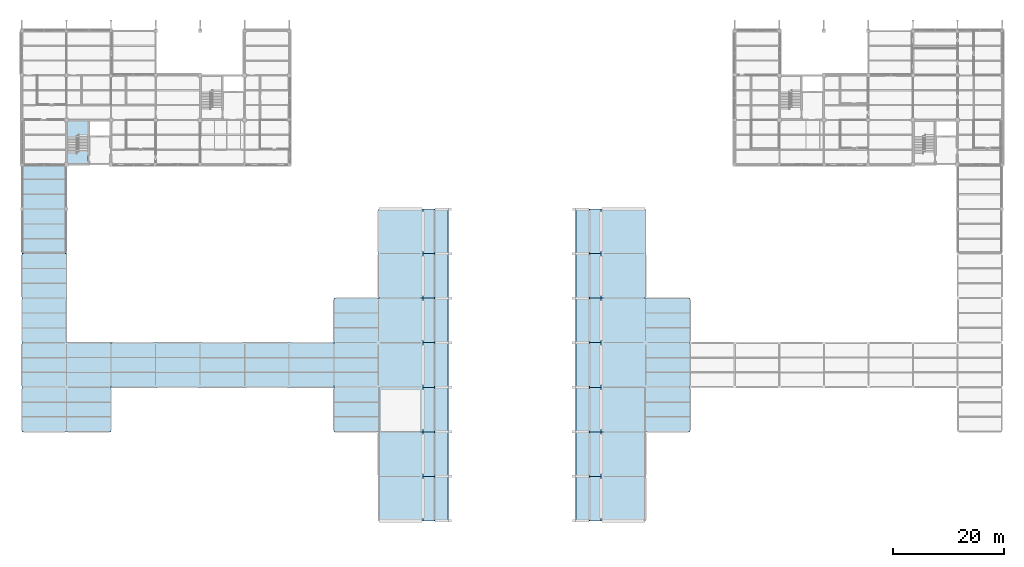
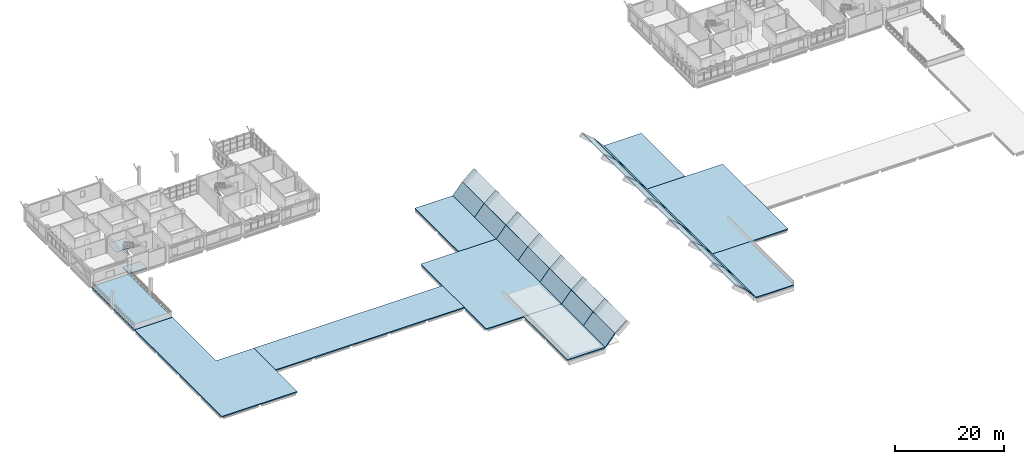
# One storey, part 14 of 35: 39 slabs, 1 element without a shape of its own.
"""IFC4 building model written with IfcOpenShell, lengths in metres."""

from ifc_helpers import new_model, si_unit, derived_unit, direction, frame, origin, place, context, subcontext, project, spatial, polyline, outline, extrude, material, layer, layer_set, type_object, element, aggregate, save


model = new_model("IFC4")

# Units and contexts
model_context = context("Model", 3, precision=1e-05, world=origin(), true_north=direction((0.0, 1.0)))
body_context = subcontext(model_context, "Body", "Model", "MODEL_VIEW")
ifc_project = project(units=[si_unit("LENGTHUNIT", "METRE"), si_unit("AREAUNIT", "SQUARE_METRE"), si_unit("VOLUMEUNIT", "CUBIC_METRE"), si_unit("PLANEANGLEUNIT", "RADIAN"), si_unit("MASSUNIT", "GRAM", prefix="KILO"), derived_unit("THERMALTRANSMITTANCEUNIT", [(si_unit("MASSUNIT", "GRAM", prefix="KILO"), 1), (si_unit("TIMEUNIT", "SECOND"), -3), (si_unit("THERMODYNAMICTEMPERATUREUNIT", "KELVIN"), -1)])], contexts=[model_context])

# Site, building, storey
site_placement = place(None, origin())
site = spatial("IfcSite", under=ifc_project, at=site_placement, CompositionType="ELEMENT")
building_placement = place(site_placement, origin())
building = spatial("IfcBuilding", under=site, at=building_placement, Name="Veyamyaing Civic Hall", CompositionType="ELEMENT")
storey_placement = place(building_placement, frame((0.0, 0.0, 21.780029296875)))
storey = spatial("IfcBuildingStorey", under=building, at=storey_placement, Name="L05", CompositionType="ELEMENT", Elevation=21.780029296875)

# Slabs
ifc_material = material(Name="Concrete C40/50", Category="concrete")
ifc_layer_1 = layer(ifc_material, 0.22998046875, Name="Concrete C40/50")
ifc_layer_set_1 = layer_set([ifc_layer_1], Name="Concrete C40/50")
slab_type_1 = type_object("IfcSlabType", Name="SL-08", PredefinedType="ROOF", material=ifc_layer_set_1)
slab_1_placement = place(storey_placement, frame((0.0, 0.0, -0.22998046875)))
element("IfcSlab", 1, at=slab_1_placement, inside=storey, type_object=slab_type_1, Name="Terrace slab SL-08 L05 V4SW.1", PredefinedType="ROOF", context=body_context, shape_type="SweptSolid", body=[
    extrude(outline(polyline([(0.0, 72.0), (0.0, 88.0), (8.0, 88.0), (8.0, 72.0), (0.0, 72.0)])), origin(), (0.0, 0.0, 1.0), 0.22998046875),
])
ifc_layer_2 = layer(ifc_material, 0.25, Name="Concrete C40/50")
ifc_layer_set_2 = layer_set([ifc_layer_2], Name="Concrete C40/50")
slab_type_2 = type_object("IfcSlabType", Name="SL-10", PredefinedType="ROOF", material=ifc_layer_set_2)
slab_2_placement = place(storey_placement, frame((0.0, 0.0, -0.25)))
element("IfcSlab", 2, at=slab_2_placement, inside=storey, type_object=slab_type_2, Name="Roof slab SL-10 L05 LNKW.1", PredefinedType="ROOF", context=body_context, shape_type="SweptSolid", body=[
    extrude(outline(polyline([(16.0, 56.0), (56.0, 56.0), (56.0, 48.0), (16.0, 48.0), (16.0, 56.0)])), origin(), (0.0, 0.0, 1.0), 0.25),
])
slab_3_placement = place(storey_placement, frame((0.0, 0.0, -0.25)))
element("IfcSlab", 3, at=slab_3_placement, inside=storey, type_object=slab_type_2, Name="Roof slab SL-10 L05 V1C.1", PredefinedType="ROOF", context=body_context, shape_type="SweptSolid", body=[
    extrude(outline(polyline([(56.0, 40.0), (56.0, 64.0), (72.0, 64.0), (72.0, 40.0), (56.0, 40.0)])), origin(), (0.0, 0.0, 1.0), 0.25),
])
slab_4_placement = place(storey_placement, frame((0.0, 0.0, -0.25)))
element("IfcSlab", 4, at=slab_4_placement, inside=storey, type_object=slab_type_2, Name="Roof slab SL-10 L05 V1C.2", PredefinedType="ROOF", context=body_context, shape_type="SweptSolid", body=[
    extrude(outline(polyline([(104.0, 40.0), (104.0, 64.0), (120.0, 64.0), (120.0, 40.0), (104.0, 40.0)])), origin(), (0.0, 0.0, 1.0), 0.25),
])
slab_5_placement = place(storey_placement, frame((0.0, 0.0, -0.25)))
element("IfcSlab", 5, at=slab_5_placement, inside=storey, type_object=slab_type_2, Name="Roof slab SL-10 L05 V1N.1", PredefinedType="ROOF", context=body_context, shape_type="SweptSolid", body=[
    extrude(outline(polyline([(64.0, 64.0), (64.0, 80.0), (72.0, 80.0), (72.0, 64.0), (64.0, 64.0)])), origin(), (0.0, 0.0, 1.0), 0.25),
])
slab_6_placement = place(storey_placement, frame((0.0, 0.0, -0.25)))
element("IfcSlab", 6, at=slab_6_placement, inside=storey, type_object=slab_type_2, Name="Roof slab SL-10 L05 V1N.2", PredefinedType="ROOF", context=body_context, shape_type="SweptSolid", body=[
    extrude(outline(polyline([(104.0, 64.0), (104.0, 80.0), (112.0, 80.0), (112.0, 64.0), (104.0, 64.0)])), origin(), (0.0, 0.0, 1.0), 0.25),
])
slab_7_placement = place(storey_placement, frame((0.0, 0.0, -0.25)))
element("IfcSlab", 7, at=slab_7_placement, inside=storey, type_object=slab_type_2, Name="Roof slab SL-10 L05 V1S.1", PredefinedType="ROOF", context=body_context, shape_type="SweptSolid", body=[
    extrude(outline(polyline([(64.0, 24.0), (64.0, 40.0), (72.0, 40.0), (72.0, 24.0), (64.0, 24.0)])), origin(), (0.0, 0.0, 1.0), 0.25),
])
slab_8_placement = place(storey_placement, frame((0.0, 0.0, -0.25)))
element("IfcSlab", 8, at=slab_8_placement, inside=storey, type_object=slab_type_2, Name="Roof slab SL-10 L05 V1S.2", PredefinedType="ROOF", context=body_context, shape_type="SweptSolid", body=[
    extrude(outline(polyline([(104.0, 24.0), (104.0, 40.0), (112.0, 40.0), (112.0, 24.0), (104.0, 24.0)])), origin(), (0.0, 0.0, 1.0), 0.25),
])
slab_9_placement = place(storey_placement, frame((0.0, 0.0, -0.25)))
element("IfcSlab", 9, at=slab_9_placement, inside=storey, type_object=slab_type_2, Name="Roof slab SL-10 L05 V4SW.1", PredefinedType="ROOF", context=body_context, shape_type="SweptSolid", body=[
    extrude(outline(polyline([(0.0, 40.0), (0.0, 72.0), (8.0, 72.0), (8.0, 56.0), (16.0, 56.0), (16.0, 40.0), (0.0, 40.0)])), origin(), (0.0, 0.0, 1.0), 0.25),
])
ifc_layer_3 = layer(ifc_material, 0.179931640625, Name="Concrete C40/50")
ifc_layer_set_3 = layer_set([ifc_layer_3], Name="Concrete C40/50")
slab_type_3 = type_object("IfcSlabType", Name="SL-11", PredefinedType="ROOF", material=ifc_layer_set_3)
slab_10_placement = place(storey_placement, frame((72.0, 24.0, 0.0), z_axis=(-0.761897431432, 0.0, 0.647697694899), x_axis=(0.647697694899, 0.0, 0.761897431432)))
element("IfcSlab", 10, at=slab_10_placement, inside=storey, type_object=slab_type_3, Name="Council Chamber Barrel Vault Shell SL-11 B1.F1", PredefinedType="ROOF", context=body_context, shape_type="SweptSolid", body=[
    extrude(outline(polyline([(0.0, 0.0), (3.1640013889015517, 0.0), (3.1640013889015517, 8.0), (0.0, 8.0), (0.0, 0.0)])), origin(), (0.0, 0.0, -1.0), 0.179931640625),
])
for number, where, z_axis, x_axis, name in (
    (11, (74.0654296875, 24.0, 2.427001953125), (-0.650274683778, 0.0, 0.759699174435), (0.759699174435, 0.0, 0.650274683778), "Council Chamber Barrel Vault Shell SL-11 B1.F2"),
    (12, (99.480224609375, 24.0, 4.52783203125), (0.650274683778, 0.0, 0.759699174435), (0.759699174435, 0.0, -0.650274683778), "Council Chamber Barrel Vault Shell SL-11 B1.F10"),
):
    element("IfcSlab", number, at=place(storey_placement, frame(where, z_axis=z_axis, x_axis=x_axis)), inside=storey, type_object=slab_type_3, Name=name, PredefinedType="ROOF", context=body_context, shape_type="SweptSolid", body=[
        extrude(outline(polyline([(0.0, 0.0), (3.230681019166523, 0.0), (3.230681019166523, 8.0), (0.0, 8.0), (0.0, 0.0)])), origin(), (0.0, 0.0, -1.0), 0.179931640625),
    ])
for number, where, z_axis, x_axis, name in (
    (13, (101.95068359375, 24.0, 2.41064453125), (0.761897431432, 0.0, 0.647697694899), (0.647697694899, 0.0, -0.761897431432), "Council Chamber Barrel Vault Shell SL-11 B1.F11"),
    (14, (72.0, 32.0, 0.0), (-0.761897431432, 0.0, 0.647697694899), (0.647697694899, 0.0, 0.761897431432), "Council Chamber Barrel Vault Shell SL-11 B2.F1"),
):
    element("IfcSlab", number, at=place(storey_placement, frame(where, z_axis=z_axis, x_axis=x_axis)), inside=storey, type_object=slab_type_3, Name=name, PredefinedType="ROOF", context=body_context, shape_type="SweptSolid", body=[
        extrude(outline(polyline([(0.0, 0.0), (3.1640013889015517, 0.0), (3.1640013889015517, 8.0), (0.0, 8.0), (0.0, 0.0)])), origin(), (0.0, 0.0, -1.0), 0.179931640625),
    ])
for number, where, z_axis, x_axis, name in (
    (15, (74.0654296875, 32.0, 2.427001953125), (-0.650274683778, 0.0, 0.759699174435), (0.759699174435, 0.0, 0.650274683778), "Council Chamber Barrel Vault Shell SL-11 B2.F2"),
    (16, (99.480224609375, 32.0, 4.52783203125), (0.650274683778, 0.0, 0.759699174435), (0.759699174435, 0.0, -0.650274683778), "Council Chamber Barrel Vault Shell SL-11 B2.F10"),
):
    element("IfcSlab", number, at=place(storey_placement, frame(where, z_axis=z_axis, x_axis=x_axis)), inside=storey, type_object=slab_type_3, Name=name, PredefinedType="ROOF", context=body_context, shape_type="SweptSolid", body=[
        extrude(outline(polyline([(0.0, 0.0), (3.230681019166523, 0.0), (3.230681019166523, 8.0), (0.0, 8.0), (0.0, 0.0)])), origin(), (0.0, 0.0, -1.0), 0.179931640625),
    ])
for number, where, z_axis, x_axis, name in (
    (17, (101.95068359375, 32.0, 2.41064453125), (0.761897431432, 0.0, 0.647697694899), (0.647697694899, 0.0, -0.761897431432), "Council Chamber Barrel Vault Shell SL-11 B2.F11"),
    (18, (72.0, 40.0, 0.0), (-0.761897431432, 0.0, 0.647697694899), (0.647697694899, 0.0, 0.761897431432), "Council Chamber Barrel Vault Shell SL-11 B3.F1"),
):
    element("IfcSlab", number, at=place(storey_placement, frame(where, z_axis=z_axis, x_axis=x_axis)), inside=storey, type_object=slab_type_3, Name=name, PredefinedType="ROOF", context=body_context, shape_type="SweptSolid", body=[
        extrude(outline(polyline([(0.0, 0.0), (3.1640013889015517, 0.0), (3.1640013889015517, 8.0), (0.0, 8.0), (0.0, 0.0)])), origin(), (0.0, 0.0, -1.0), 0.179931640625),
    ])
for number, where, z_axis, x_axis, name in (
    (19, (74.0654296875, 40.0, 2.427001953125), (-0.650274683778, 0.0, 0.759699174435), (0.759699174435, 0.0, 0.650274683778), "Council Chamber Barrel Vault Shell SL-11 B3.F2"),
    (20, (99.480224609375, 40.0, 4.52783203125), (0.650274683778, 0.0, 0.759699174435), (0.759699174435, 0.0, -0.650274683778), "Council Chamber Barrel Vault Shell SL-11 B3.F10"),
):
    element("IfcSlab", number, at=place(storey_placement, frame(where, z_axis=z_axis, x_axis=x_axis)), inside=storey, type_object=slab_type_3, Name=name, PredefinedType="ROOF", context=body_context, shape_type="SweptSolid", body=[
        extrude(outline(polyline([(0.0, 0.0), (3.230681019166523, 0.0), (3.230681019166523, 8.0), (0.0, 8.0), (0.0, 0.0)])), origin(), (0.0, 0.0, -1.0), 0.179931640625),
    ])
for number, where, z_axis, x_axis, name in (
    (21, (101.95068359375, 40.0, 2.41064453125), (0.761897431432, 0.0, 0.647697694899), (0.647697694899, 0.0, -0.761897431432), "Council Chamber Barrel Vault Shell SL-11 B3.F11"),
    (22, (72.0, 48.0, 0.0), (-0.761897431432, 0.0, 0.647697694899), (0.647697694899, 0.0, 0.761897431432), "Council Chamber Barrel Vault Shell SL-11 B4.F1"),
):
    element("IfcSlab", number, at=place(storey_placement, frame(where, z_axis=z_axis, x_axis=x_axis)), inside=storey, type_object=slab_type_3, Name=name, PredefinedType="ROOF", context=body_context, shape_type="SweptSolid", body=[
        extrude(outline(polyline([(0.0, 0.0), (3.1640013889015517, 0.0), (3.1640013889015517, 8.0), (0.0, 8.0), (0.0, 0.0)])), origin(), (0.0, 0.0, -1.0), 0.179931640625),
    ])
for number, where, z_axis, x_axis, name in (
    (23, (74.0654296875, 48.0, 2.427001953125), (-0.650274683778, 0.0, 0.759699174435), (0.759699174435, 0.0, 0.650274683778), "Council Chamber Barrel Vault Shell SL-11 B4.F2"),
    (24, (99.480224609375, 48.0, 4.52783203125), (0.650274683778, 0.0, 0.759699174435), (0.759699174435, 0.0, -0.650274683778), "Council Chamber Barrel Vault Shell SL-11 B4.F10"),
):
    element("IfcSlab", number, at=place(storey_placement, frame(where, z_axis=z_axis, x_axis=x_axis)), inside=storey, type_object=slab_type_3, Name=name, PredefinedType="ROOF", context=body_context, shape_type="SweptSolid", body=[
        extrude(outline(polyline([(0.0, 0.0), (3.230681019166523, 0.0), (3.230681019166523, 8.0), (0.0, 8.0), (0.0, 0.0)])), origin(), (0.0, 0.0, -1.0), 0.179931640625),
    ])
for number, where, z_axis, x_axis, name in (
    (25, (101.95068359375, 48.0, 2.41064453125), (0.761897431432, 0.0, 0.647697694899), (0.647697694899, 0.0, -0.761897431432), "Council Chamber Barrel Vault Shell SL-11 B4.F11"),
    (26, (72.0, 56.0, 0.0), (-0.761897431432, 0.0, 0.647697694899), (0.647697694899, 0.0, 0.761897431432), "Council Chamber Barrel Vault Shell SL-11 B5.F1"),
):
    element("IfcSlab", number, at=place(storey_placement, frame(where, z_axis=z_axis, x_axis=x_axis)), inside=storey, type_object=slab_type_3, Name=name, PredefinedType="ROOF", context=body_context, shape_type="SweptSolid", body=[
        extrude(outline(polyline([(0.0, 0.0), (3.1640013889015517, 0.0), (3.1640013889015517, 8.0), (0.0, 8.0), (0.0, 0.0)])), origin(), (0.0, 0.0, -1.0), 0.179931640625),
    ])
for number, where, z_axis, x_axis, name in (
    (27, (74.0654296875, 56.0, 2.427001953125), (-0.650274683778, 0.0, 0.759699174435), (0.759699174435, 0.0, 0.650274683778), "Council Chamber Barrel Vault Shell SL-11 B5.F2"),
    (28, (99.480224609375, 56.0, 4.52783203125), (0.650274683778, 0.0, 0.759699174435), (0.759699174435, 0.0, -0.650274683778), "Council Chamber Barrel Vault Shell SL-11 B5.F10"),
):
    element("IfcSlab", number, at=place(storey_placement, frame(where, z_axis=z_axis, x_axis=x_axis)), inside=storey, type_object=slab_type_3, Name=name, PredefinedType="ROOF", context=body_context, shape_type="SweptSolid", body=[
        extrude(outline(polyline([(0.0, 0.0), (3.230681019166523, 0.0), (3.230681019166523, 8.0), (0.0, 8.0), (0.0, 0.0)])), origin(), (0.0, 0.0, -1.0), 0.179931640625),
    ])
for number, where, z_axis, x_axis, name in (
    (29, (101.95068359375, 56.0, 2.41064453125), (0.761897431432, 0.0, 0.647697694899), (0.647697694899, 0.0, -0.761897431432), "Council Chamber Barrel Vault Shell SL-11 B5.F11"),
    (30, (72.0, 64.0, 0.0), (-0.761897431432, 0.0, 0.647697694899), (0.647697694899, 0.0, 0.761897431432), "Council Chamber Barrel Vault Shell SL-11 B6.F1"),
):
    element("IfcSlab", number, at=place(storey_placement, frame(where, z_axis=z_axis, x_axis=x_axis)), inside=storey, type_object=slab_type_3, Name=name, PredefinedType="ROOF", context=body_context, shape_type="SweptSolid", body=[
        extrude(outline(polyline([(0.0, 0.0), (3.1640013889015517, 0.0), (3.1640013889015517, 8.0), (0.0, 8.0), (0.0, 0.0)])), origin(), (0.0, 0.0, -1.0), 0.179931640625),
    ])
for number, where, z_axis, x_axis, name in (
    (31, (74.0654296875, 64.0, 2.427001953125), (-0.650274683778, 0.0, 0.759699174435), (0.759699174435, 0.0, 0.650274683778), "Council Chamber Barrel Vault Shell SL-11 B6.F2"),
    (32, (99.480224609375, 64.0, 4.52783203125), (0.650274683778, 0.0, 0.759699174435), (0.759699174435, 0.0, -0.650274683778), "Council Chamber Barrel Vault Shell SL-11 B6.F10"),
):
    element("IfcSlab", number, at=place(storey_placement, frame(where, z_axis=z_axis, x_axis=x_axis)), inside=storey, type_object=slab_type_3, Name=name, PredefinedType="ROOF", context=body_context, shape_type="SweptSolid", body=[
        extrude(outline(polyline([(0.0, 0.0), (3.230681019166523, 0.0), (3.230681019166523, 8.0), (0.0, 8.0), (0.0, 0.0)])), origin(), (0.0, 0.0, -1.0), 0.179931640625),
    ])
for number, where, z_axis, x_axis, name in (
    (33, (101.95068359375, 64.0, 2.41064453125), (0.761897431432, 0.0, 0.647697694899), (0.647697694899, 0.0, -0.761897431432), "Council Chamber Barrel Vault Shell SL-11 B6.F11"),
    (34, (72.0, 72.0, 0.0), (-0.761897431432, 0.0, 0.647697694899), (0.647697694899, 0.0, 0.761897431432), "Council Chamber Barrel Vault Shell SL-11 B7.F1"),
):
    element("IfcSlab", number, at=place(storey_placement, frame(where, z_axis=z_axis, x_axis=x_axis)), inside=storey, type_object=slab_type_3, Name=name, PredefinedType="ROOF", context=body_context, shape_type="SweptSolid", body=[
        extrude(outline(polyline([(0.0, 0.0), (3.1640013889015517, 0.0), (3.1640013889015517, 8.0), (0.0, 8.0), (0.0, 0.0)])), origin(), (0.0, 0.0, -1.0), 0.179931640625),
    ])
for number, where, z_axis, x_axis, name in (
    (35, (74.0654296875, 72.0, 2.427001953125), (-0.650274683778, 0.0, 0.759699174435), (0.759699174435, 0.0, 0.650274683778), "Council Chamber Barrel Vault Shell SL-11 B7.F2"),
    (36, (99.480224609375, 72.0, 4.52783203125), (0.650274683778, 0.0, 0.759699174435), (0.759699174435, 0.0, -0.650274683778), "Council Chamber Barrel Vault Shell SL-11 B7.F10"),
):
    element("IfcSlab", number, at=place(storey_placement, frame(where, z_axis=z_axis, x_axis=x_axis)), inside=storey, type_object=slab_type_3, Name=name, PredefinedType="ROOF", context=body_context, shape_type="SweptSolid", body=[
        extrude(outline(polyline([(0.0, 0.0), (3.230681019166523, 0.0), (3.230681019166523, 8.0), (0.0, 8.0), (0.0, 0.0)])), origin(), (0.0, 0.0, -1.0), 0.179931640625),
    ])
slab_11_placement = place(storey_placement, frame((101.95068359375, 72.0, 2.41064453125), z_axis=(0.761897431432, 0.0, 0.647697694899), x_axis=(0.647697694899, 0.0, -0.761897431432)))
element("IfcSlab", 37, at=slab_11_placement, inside=storey, type_object=slab_type_3, Name="Council Chamber Barrel Vault Shell SL-11 B7.F11", PredefinedType="ROOF", context=body_context, shape_type="SweptSolid", body=[
    extrude(outline(polyline([(0.0, 0.0), (3.1640013889015517, 0.0), (3.1640013889015517, 8.0), (0.0, 8.0), (0.0, 0.0)])), origin(), (0.0, 0.0, -1.0), 0.179931640625),
])
ifc_layer_4 = layer(ifc_material, 0.199951171875, Name="Concrete C40/50")
ifc_layer_set_4 = layer_set([ifc_layer_4], Name="Concrete C40/50")
slab_type_4 = type_object("IfcSlabType", Name="SL-16", PredefinedType="FLOOR", material=ifc_layer_set_4)
slab_12_placement = place(storey_placement, frame((0.0, 0.0, -0.199951171875)))
element("IfcSlab", 38, at=slab_12_placement, inside=storey, type_object=slab_type_4, Name="Stair floor landing slab SL-16 ST-01 L05", PredefinedType="FLOOR", context=body_context, shape_type="SweptSolid", body=[
    extrude(outline(polyline([(8.139892578125, 88.139892578125), (11.909912109375, 88.139892578125), (11.909912109375, 90.52001953125), (8.139892578125, 90.52001953125), (8.139892578125, 88.139892578125)])), origin(), (0.0, 0.0, 1.0), 0.199951171875),
])

# Stair, slab
stair_type = type_object("IfcStairType", Name="ST-D", PredefinedType="HALF_TURN_STAIR", material=ifc_material)
stair_placement = place(storey_placement, origin())
stair = element("IfcStair", 39, at=stair_placement, inside=storey, type_object=stair_type, Name="Protected exit stair ST-01 L05", PredefinedType="HALF_TURN_STAIR")
ifc_layer_5 = layer(ifc_material, 0.195068359375, Name="Concrete C40/50")
ifc_layer_set_5 = layer_set([ifc_layer_5], Name="Concrete C40/50")
slab_type_5 = type_object("IfcSlabType", Name="SL-LND", PredefinedType="LANDING", material=ifc_layer_set_5)
slab_13_placement = place(storey_placement, frame((0.0, 0.0, 1.784912109375)))
slab_13 = element("IfcSlab", 40, at=slab_13_placement, type_object=slab_type_5, Name="ST-01 landing 1", PredefinedType="LANDING", context=body_context, shape_type="SweptSolid", body=[
    extrude(outline(polyline([(8.139892578125, 92.7900390625), (11.909912109375, 92.7900390625), (11.909912109375, 95.860107421875), (8.139892578125, 95.860107421875), (8.139892578125, 92.7900390625)])), origin(), (0.0, 0.0, 1.0), 0.195068359375),
])
aggregate(stair, [slab_13])

save(model, "model.ifc")
